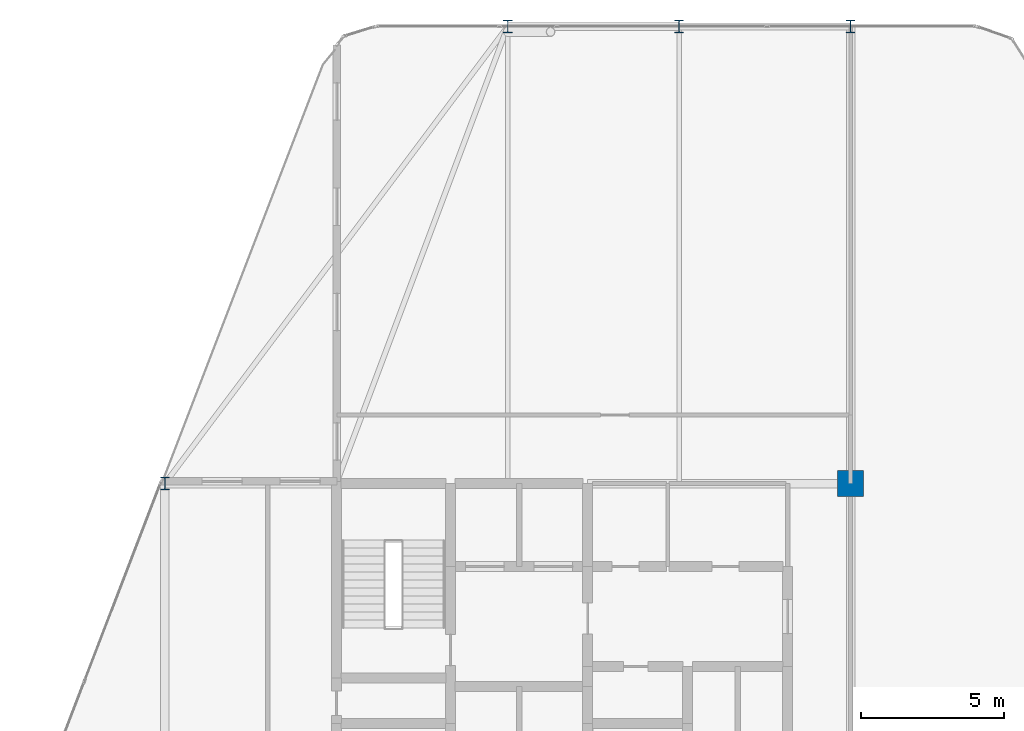
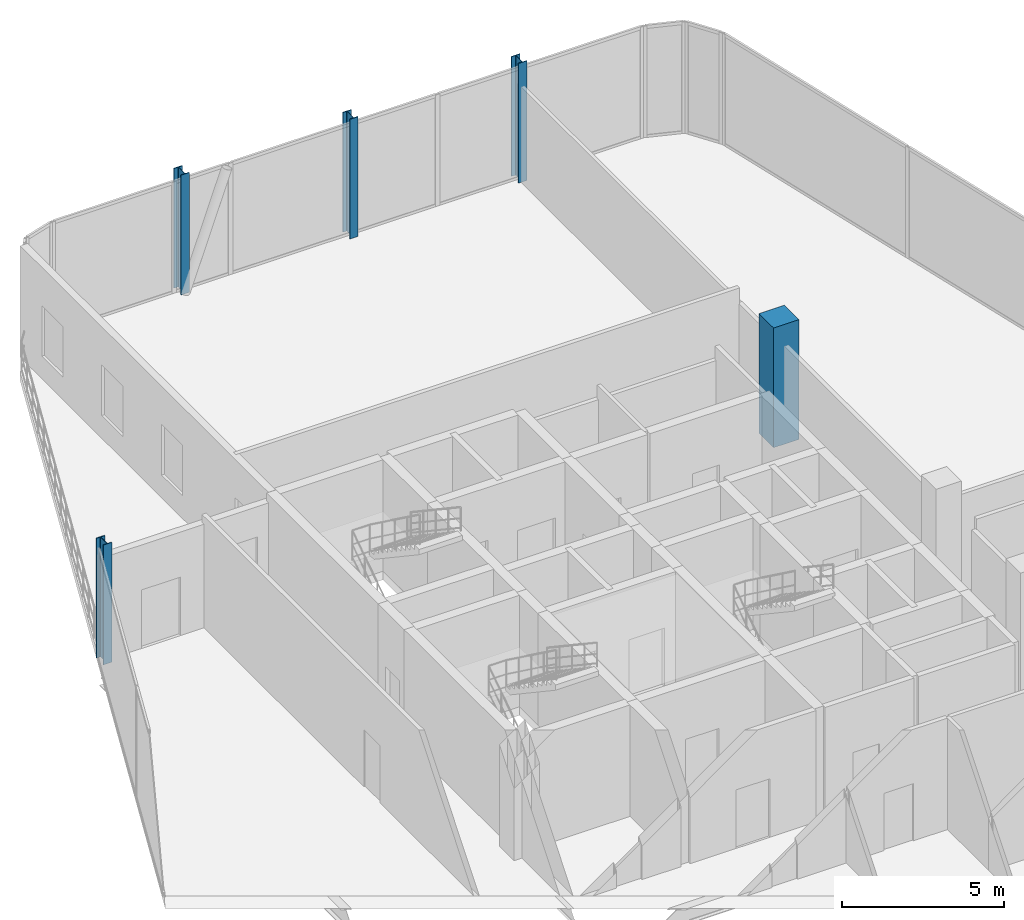
# One storey, part 3 of 31: 5 columns.
"""IFC4 building model written with IfcOpenShell, lengths in metres."""

from ifc_helpers import new_model, si_unit, direction, frame, origin, origin_2d, place, context, subcontext, project, spatial, rectangle, i_section, extrude, material, material_profile, profile_set, type_object, element, save


model = new_model("IFC4")

# Units and contexts
model_context = context("Model", 3, precision=1e-05, world=origin(), true_north=direction((0.0, 1.0)))
body_context = subcontext(model_context, "Body", "Model", "MODEL_VIEW")
ifc_project = project(units=[si_unit("LENGTHUNIT", "METRE"), si_unit("AREAUNIT", "SQUARE_METRE"), si_unit("VOLUMEUNIT", "CUBIC_METRE"), si_unit("PLANEANGLEUNIT", "RADIAN"), si_unit("MASSUNIT", "GRAM", prefix="KILO")], contexts=[model_context])

# Site, building, storey
site_placement = place(None, origin())
site = spatial("IfcSite", under=ifc_project, at=site_placement, CompositionType="ELEMENT")
building_placement = place(site_placement, origin())
building = spatial("IfcBuilding", under=site, at=building_placement, Name="Keshet Zoharim Tower", CompositionType="ELEMENT")
storey_placement = place(building_placement, frame((0.0, 0.0, 183.89990234375)))
storey = spatial("IfcBuildingStorey", under=building, at=storey_placement, Name="L45", CompositionType="ELEMENT", Elevation=183.89990234375)

# Columns
ifc_material_1 = material(Name="Steel S355", Category="steel")
ifc_material_profile_1 = material_profile(ifc_material_1, i_section(OverallWidth=0.300048828125, OverallDepth=0.449951171875, WebThickness=0.013916015625, FlangeThickness=0.02587890625, FilletRadius=0.027099609375, at=origin_2d()), Name="HEB450")
ifc_profile_set_1 = profile_set([ifc_material_profile_1], Name="Steel S355")
column_type_1 = type_object("IfcColumnType", Name="COL-HEB450", PredefinedType="COLUMN", material=ifc_profile_set_1)
for number, where, z_axis, x_axis, name in (
    (1, (9.0, 37.89990234375, 0.0), (0.0, 0.0, 1.0), (1.0, 0.0, 0.0), "L45 Column 2H"),
    (2, (21.0, 53.89990234375, 0.0), (0.0, 0.0, 1.0), (1.0, 0.0, 0.0), "L45 Column 4L"),
    (3, (27.0, 53.89990234375, 0.0), (0.0, 0.0, 1.0), (1.0, 0.0, 0.0), "L45 Column 5L"),
    (4, (33.0, 53.89990234375, 0.0), (0.0, 0.0, 1.0), (1.0, 0.0, 0.0), "L45 Column 6L"),
):
    element("IfcColumn", number, at=place(storey_placement, frame(where, z_axis=z_axis, x_axis=x_axis)), inside=storey, type_object=column_type_1, Name=name, PredefinedType="COLUMN", context=body_context, shape_type="SweptSolid", body=[
        extrude(i_section(OverallWidth=0.300048828125, OverallDepth=0.449951171875, WebThickness=0.013916015625, FlangeThickness=0.02587890625, FilletRadius=0.027099609375, at=origin_2d()), origin(), (0.0, 0.0, 1.0), 4.5),
    ])
ifc_material_2 = material(Name="Concrete C60/75", Category="concrete")
ifc_material_profile_2 = material_profile(ifc_material_2, rectangle(XDim=0.89990234375, YDim=0.89990234375, at=origin_2d()), Name="RC900x900")
ifc_profile_set_2 = profile_set([ifc_material_profile_2], Name="Concrete C60/75")
column_type_2 = type_object("IfcColumnType", Name="COL-RC900", PredefinedType="COLUMN", material=ifc_profile_set_2)
column_placement = place(storey_placement, frame((33.0, 37.89990234375, 0.0), z_axis=(0.0, 0.0, 1.0), x_axis=(1.0, 0.0, 0.0)))
element("IfcColumn", 5, at=column_placement, inside=storey, type_object=column_type_2, Name="L45 Column 6H", PredefinedType="COLUMN", context=body_context, shape_type="SweptSolid", body=[
    extrude(rectangle(XDim=0.89990234375, YDim=0.89990234375, at=origin_2d()), origin(), (0.0, 0.0, 1.0), 4.5),
])

save(model, "model.ifc")
